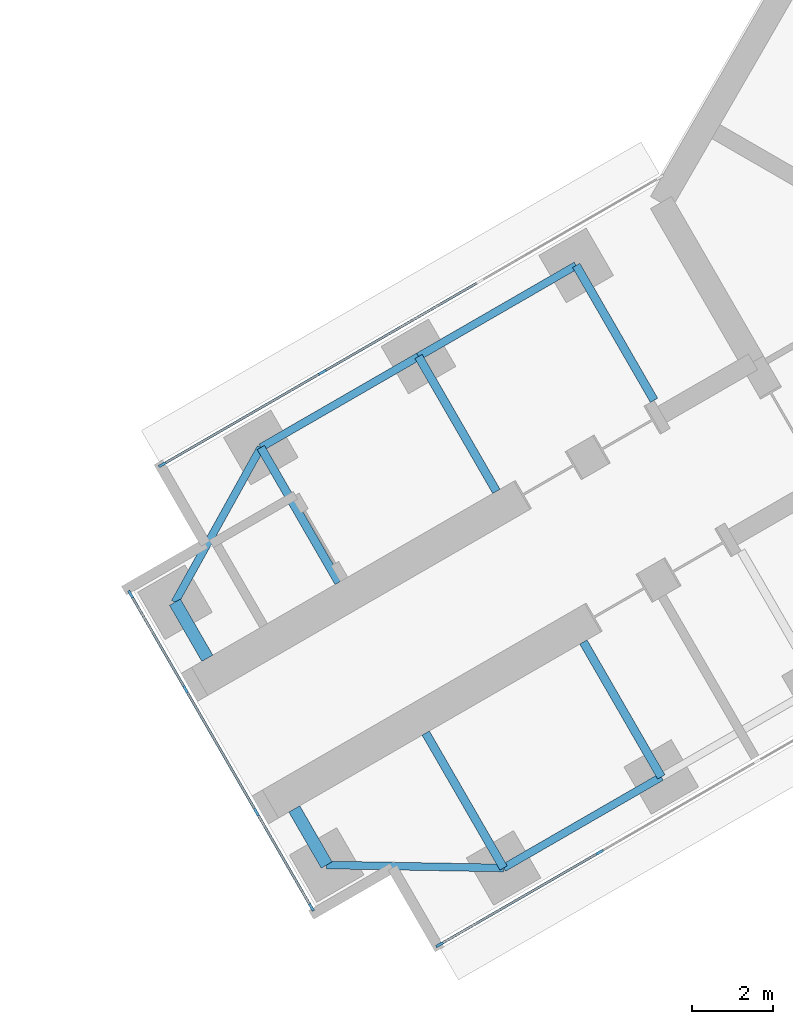
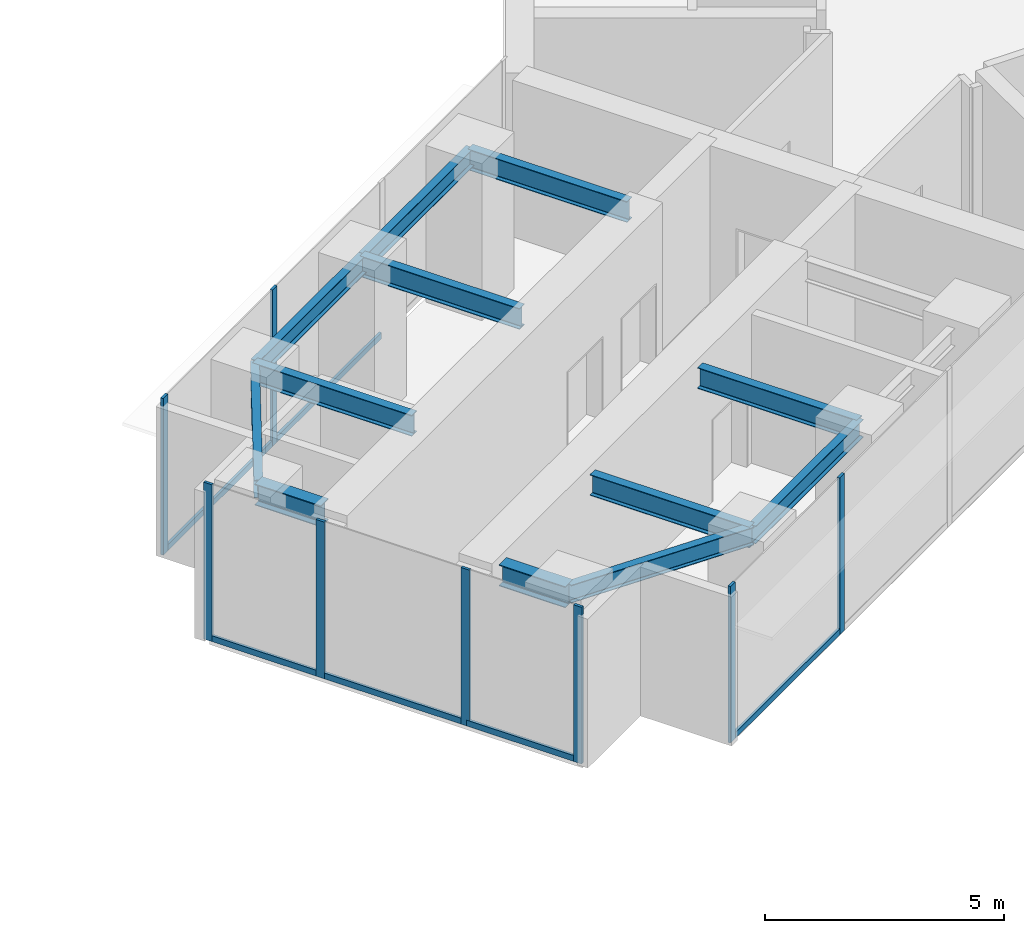
# One storey, part 3 of 21: 14 members, 12 beams, 3 elements without a shape of their own.
"""IFC4 building model written with IfcOpenShell, lengths in metres."""

from ifc_helpers import new_model, si_unit, direction, frame, origin, origin_2d, place, context, subcontext, project, spatial, rectangle, i_section, extrude, material, material_profile, profile_set, type_object, element, aggregate, save


model = new_model("IFC4")

# Units and contexts
model_context = context("Model", 3, precision=1e-05, world=origin(), true_north=direction((0.0, 1.0)))
body_context = subcontext(model_context, "Body", "Model", "MODEL_VIEW")
ifc_project = project(units=[si_unit("LENGTHUNIT", "METRE"), si_unit("AREAUNIT", "SQUARE_METRE"), si_unit("VOLUMEUNIT", "CUBIC_METRE"), si_unit("PLANEANGLEUNIT", "RADIAN"), si_unit("MASSUNIT", "GRAM", prefix="KILO")], contexts=[model_context])

# Site, building, storey
site_placement = place(None, origin())
site = spatial("IfcSite", under=ifc_project, at=site_placement, CompositionType="ELEMENT")
building_placement = place(site_placement, origin())
building = spatial("IfcBuilding", under=site, at=building_placement, Name="Upepo Twin Towers", CompositionType="ELEMENT")
storey_placement = place(building_placement, frame((0.0, 0.0, 109.5)))
storey = spatial("IfcBuildingStorey", under=building, at=storey_placement, Name="L26", CompositionType="ELEMENT", Elevation=109.5)

# Beams
ifc_material_1 = material(Name="Steel S355", Category="steel")
ifc_material_profile_1 = material_profile(ifc_material_1, i_section(OverallWidth=0.1904296875, OverallDepth=0.45703125, WebThickness=0.009033203125, FlangeThickness=0.014404296875, FilletRadius=0.01025390625, at=origin_2d()), Name="UB 457x191x74")
ifc_profile_set_1 = profile_set([ifc_material_profile_1], Name="Steel S355")
beam_type_1 = type_object("IfcBeamType", Name="Beam UB 457x191x74", PredefinedType="BEAM", material=ifc_profile_set_1)
beam_1_placement = place(storey_placement, frame((45.91162109375, -32.196044921875, 3.571533203125), z_axis=(-0.866031096941, -0.499990139034, 0.0), x_axis=(0.499990139034, -0.866031096941, 0.0)))
element("IfcBeam", 1, at=beam_1_placement, inside=storey, type_object=beam_type_1, Name="T2 edge beam BL 18.0-22.5", PredefinedType="BEAM", context=body_context, shape_type="SweptSolid", body=[
    extrude(i_section(OverallWidth=0.1904296875, OverallDepth=0.45703125, WebThickness=0.009033203125, FlangeThickness=0.014404296875, FilletRadius=0.01025390625, at=origin_2d()), origin(), (0.0, 0.0, 1.0), 4.5),
])
beam_2_placement = place(storey_placement, frame((42.014404296875, -34.446044921875, 3.571533203125), z_axis=(-0.999858804832, 0.016803880528, 0.0), x_axis=(-0.016803880528, -0.999858804832, 0.0)))
element("IfcBeam", 2, at=beam_2_placement, inside=storey, type_object=beam_type_1, Name="T2 nose edge beam BL", PredefinedType="BEAM", context=body_context, shape_type="SweptSolid", body=[
    extrude(i_section(OverallWidth=0.1904296875, OverallDepth=0.45703125, WebThickness=0.009033203125, FlangeThickness=0.014404296875, FilletRadius=0.01025390625, at=origin_2d()), origin(), (0.0, 0.0, 1.0), 4.373291015625),
])
beam_3_placement = place(storey_placement, frame((43.80859375, -19.553955078125, 3.571533203125), z_axis=(-0.866017533419, -0.500013631625, 0.0), x_axis=(0.500013631625, -0.866017533419, 0.0)))
element("IfcBeam", 3, at=beam_3_placement, inside=storey, type_object=beam_type_1, Name="T2 edge beam BR 13.5-18.0", PredefinedType="BEAM", context=body_context, shape_type="SweptSolid", body=[
    extrude(i_section(OverallWidth=0.1904296875, OverallDepth=0.45703125, WebThickness=0.009033203125, FlangeThickness=0.014404296875, FilletRadius=0.01025390625, at=origin_2d()), origin(), (0.0, 0.0, 1.0), 4.499755859375),
])
beam_4_placement = place(storey_placement, frame((39.91162109375, -21.803955078125, 3.571533203125), z_axis=(-0.866031096941, -0.499990139034, 0.0), x_axis=(0.499990139034, -0.866031096941, 0.0)))
element("IfcBeam", 4, at=beam_4_placement, inside=storey, type_object=beam_type_1, Name="T2 edge beam BR 18.0-22.5", PredefinedType="BEAM", context=body_context, shape_type="SweptSolid", body=[
    extrude(i_section(OverallWidth=0.1904296875, OverallDepth=0.45703125, WebThickness=0.009033203125, FlangeThickness=0.014404296875, FilletRadius=0.01025390625, at=origin_2d()), origin(), (0.0, 0.0, 1.0), 4.5),
])
beam_5_placement = place(storey_placement, frame((36.014404296875, -24.053955078125, 3.571533203125), z_axis=(-0.485363242752, -0.874312600038, 0.0), x_axis=(0.874312600038, -0.485363242752, 0.0)))
element("IfcBeam", 5, at=beam_5_placement, inside=storey, type_object=beam_type_1, Name="T2 nose edge beam BR", PredefinedType="BEAM", context=body_context, shape_type="SweptSolid", body=[
    extrude(i_section(OverallWidth=0.1904296875, OverallDepth=0.45703125, WebThickness=0.009033203125, FlangeThickness=0.014404296875, FilletRadius=0.01025390625, at=origin_2d()), origin(), (0.0, 0.0, 1.0), 4.373046875),
])
ifc_material_2 = material(Name="Steel S355", Category="steel")
ifc_material_profile_2 = material_profile(ifc_material_2, i_section(OverallWidth=0.209228515625, OverallDepth=0.533203125, WebThickness=0.010009765625, FlangeThickness=0.015625, FilletRadius=0.0126953125, at=origin_2d()), Name="UB 533x210x92")
ifc_profile_set_2 = profile_set([ifc_material_profile_2], Name="Steel S355")
beam_type_2 = type_object("IfcBeamType", Name="Beam UB 533x210x92", PredefinedType="BEAM", material=ifc_profile_set_2)
for number, where, z_axis, x_axis, name in (
    (6, (45.91162109375, -32.196044921875, 3.533447265625), (-0.500033517596, 0.866006051527, 0.0), (-0.866006051527, -0.500033517596, 0.0), "T2 girder BL at 18.0"),
    (7, (42.014404296875, -34.446044921875, 3.533447265625), (-0.500033517596, 0.866006051527, 0.0), (-0.866006051527, -0.500033517596, 0.0), "T2 girder BL at 22.5"),
    (8, (43.80859375, -19.553955078125, 3.533447265625), (0.500033517596, -0.866006051527, 0.0), (0.866006051527, 0.500033517596, 0.0), "T2 girder BR at 13.5"),
):
    element("IfcBeam", number, at=place(storey_placement, frame(where, z_axis=z_axis, x_axis=x_axis)), inside=storey, type_object=beam_type_2, Name=name, PredefinedType="BEAM", context=body_context, shape_type="SweptSolid", body=[
        extrude(i_section(OverallWidth=0.209228515625, OverallDepth=0.533203125, WebThickness=0.010009765625, FlangeThickness=0.015625, FilletRadius=0.0126953125, at=origin_2d()), origin(), (0.0, 0.0, 1.0), 3.849853515625),
    ])
beam_6_placement = place(storey_placement, frame((39.91162109375, -21.803955078125, 3.533447265625), z_axis=(0.499985955615, -0.866033512162, 0.0), x_axis=(0.866033512162, 0.499985955615, 0.0)))
element("IfcBeam", 9, at=beam_6_placement, inside=storey, type_object=beam_type_2, Name="T2 girder BR at 18.0", PredefinedType="BEAM", context=body_context, shape_type="SweptSolid", body=[
    extrude(i_section(OverallWidth=0.209228515625, OverallDepth=0.533203125, WebThickness=0.010009765625, FlangeThickness=0.015625, FilletRadius=0.0126953125, at=origin_2d()), origin(), (0.0, 0.0, 1.0), 3.849609375),
])
beam_7_placement = place(storey_placement, frame((36.014404296875, -24.053955078125, 3.533447265625), z_axis=(0.500033517596, -0.866006051527, 0.0), x_axis=(0.866006051527, 0.500033517596, 0.0)))
element("IfcBeam", 10, at=beam_7_placement, inside=storey, type_object=beam_type_2, Name="T2 girder BR at 22.5", PredefinedType="BEAM", context=body_context, shape_type="SweptSolid", body=[
    extrude(i_section(OverallWidth=0.209228515625, OverallDepth=0.533203125, WebThickness=0.010009765625, FlangeThickness=0.015625, FilletRadius=0.0126953125, at=origin_2d()), origin(), (0.0, 0.0, 1.0), 3.849853515625),
])
ifc_material_3 = material(Name="Steel S355", Category="steel")
ifc_material_profile_3 = material_profile(ifc_material_3, i_section(OverallWidth=0.31201171875, OverallDepth=0.54345703125, WebThickness=0.0126953125, FlangeThickness=0.020263671875, FilletRadius=0.0126953125, at=origin_2d()), Name="UB 533x312x150")
ifc_profile_set_3 = profile_set([ifc_material_profile_3], Name="Steel S355")
beam_type_3 = type_object("IfcBeamType", Name="Beam UB 533x312x150", PredefinedType="BEAM", material=ifc_profile_set_3)
for number, where, z_axis, x_axis, name in (
    (11, (37.641845703125, -34.37255859375, 3.5283203125), (-0.500061482766, 0.865989903783, 0.0), (-0.865989903783, -0.500061482766, 0.0), "T2 nose beam BL"),
    (12, (33.891845703125, -27.87744140625, 3.5283203125), (0.500061482766, -0.865989903783, 0.0), (0.865989903783, 0.500061482766, 0.0), "T2 nose beam BR"),
):
    element("IfcBeam", number, at=place(storey_placement, frame(where, z_axis=z_axis, x_axis=x_axis)), inside=storey, type_object=beam_type_3, Name=name, PredefinedType="BEAM", context=body_context, shape_type="SweptSolid", body=[
        extrude(i_section(OverallWidth=0.31201171875, OverallDepth=0.54345703125, WebThickness=0.0126953125, FlangeThickness=0.020263671875, FilletRadius=0.0126953125, at=origin_2d()), origin(), (0.0, 0.0, 1.0), 1.599853515625),
    ])

# Curtain wall, members
ifc_material_4 = material(Name="Aluminium and fritted glass", Category="aluminium")
curtain_wall_type = type_object("IfcCurtainWallType", Name="Tower curtain wall TW2, fritted glass", PredefinedType="NOTDEFINED", material=ifc_material_4)
curtain_wall_1_placement = place(storey_placement, origin())
curtain_wall_1 = element("IfcCurtainWall", 13, at=curtain_wall_1_placement, inside=storey, type_object=curtain_wall_type, Name="T2 L26 wing B flank L curtain wall", PredefinedType="NOTDEFINED")
ifc_material_5 = material(Name="Aluminium mullion", Category="aluminium")
ifc_material_profile_4 = material_profile(ifc_material_5, rectangle(XDim=0.06494140625, YDim=0.199951171875, at=origin_2d()), Name="MULLION 65x200")
ifc_profile_set_4 = profile_set([ifc_material_profile_4], Name="Aluminium mullion")
member_type_1 = type_object("IfcMemberType", Name="Mullion 65x200 TW2", PredefinedType="MULLION", material=ifc_profile_set_4)
member_1_placement = place(storey_placement, frame((44.387939453125, -34.057373046875, 0.0), z_axis=(0.0, 0.0, 1.0), x_axis=(0.500000010308, -0.866025397833, 0.0)))
member_1 = element("IfcMember", 14, at=member_1_placement, type_object=member_type_1, Name="T2 L26 wing B flank L curtain wall mullion 3", PredefinedType="MULLION", context=body_context, shape_type="SweptSolid", body=[
    extrude(rectangle(XDim=0.06494140625, YDim=0.199951171875, at=origin_2d()), origin(), (0.0, 0.0, 1.0), 4.0),
])
member_2_placement = place(storey_placement, frame((40.432373046875, -36.341064453125, 0.0), z_axis=(0.0, 0.0, 1.0), x_axis=(0.500000010308, -0.866025397833, 0.0)))
member_2 = element("IfcMember", 15, at=member_2_placement, type_object=member_type_1, Name="T2 L26 wing B flank L curtain wall mullion 4", PredefinedType="MULLION", context=body_context, shape_type="SweptSolid", body=[
    extrude(rectangle(XDim=0.06494140625, YDim=0.199951171875, at=origin_2d()), origin(), (0.0, 0.0, 1.0), 4.0),
])

curtain_wall_2_placement = place(storey_placement, origin())
curtain_wall_2 = element("IfcCurtainWall", 16, at=curtain_wall_2_placement, inside=storey, type_object=curtain_wall_type, Name="T2 L26 wing B flank R curtain wall", PredefinedType="NOTDEFINED")
member_3_placement = place(storey_placement, frame((33.58251953125, -24.4765625, 0.0), z_axis=(0.0, 0.0, 1.0), x_axis=(-0.500000010308, 0.866025397833, 0.0)))
member_3 = element("IfcMember", 17, at=member_3_placement, type_object=member_type_1, Name="T2 L26 wing B flank R curtain wall mullion 1", PredefinedType="MULLION", context=body_context, shape_type="SweptSolid", body=[
    extrude(rectangle(XDim=0.06494140625, YDim=0.199951171875, at=origin_2d()), origin(), (0.0, 0.0, 1.0), 4.0),
])
member_4_placement = place(storey_placement, frame((37.5380859375, -22.192626953125, 0.0), z_axis=(0.0, 0.0, 1.0), x_axis=(-0.500000010308, 0.866025397833, 0.0)))
member_4 = element("IfcMember", 18, at=member_4_placement, type_object=member_type_1, Name="T2 L26 wing B flank R curtain wall mullion 2", PredefinedType="MULLION", context=body_context, shape_type="SweptSolid", body=[
    extrude(rectangle(XDim=0.06494140625, YDim=0.199951171875, at=origin_2d()), origin(), (0.0, 0.0, 1.0), 4.0),
])

curtain_wall_3_placement = place(storey_placement, origin())
curtain_wall_3 = element("IfcCurtainWall", 19, at=curtain_wall_3_placement, inside=storey, type_object=curtain_wall_type, Name="T2 L26 wing B nose curtain wall", PredefinedType="NOTDEFINED")
member_5_placement = place(storey_placement, frame((32.796875, -27.68115234375, 0.0), z_axis=(0.0, 0.0, 1.0), x_axis=(0.866025386174, 0.500000030502, 0.0)))
member_5 = element("IfcMember", 20, at=member_5_placement, type_object=member_type_1, Name="T2 L26 wing B nose curtain wall mullion 1", PredefinedType="MULLION", context=body_context, shape_type="SweptSolid", body=[
    extrude(rectangle(XDim=0.06494140625, YDim=0.199951171875, at=origin_2d()), origin(), (0.0, 0.0, 1.0), 4.0),
])
member_6_placement = place(storey_placement, frame((34.15576171875, -30.034423828125, 0.0), z_axis=(0.0, 0.0, 1.0), x_axis=(0.866025386174, 0.500000030502, 0.0)))
member_6 = element("IfcMember", 21, at=member_6_placement, type_object=member_type_1, Name="T2 L26 wing B nose curtain wall mullion 2", PredefinedType="MULLION", context=body_context, shape_type="SweptSolid", body=[
    extrude(rectangle(XDim=0.06494140625, YDim=0.199951171875, at=origin_2d()), origin(), (0.0, 0.0, 1.0), 4.0),
])
member_7_placement = place(storey_placement, frame((35.90576171875, -33.0654296875, 0.0), z_axis=(0.0, 0.0, 1.0), x_axis=(0.866025386174, 0.500000030502, 0.0)))
member_7 = element("IfcMember", 22, at=member_7_placement, type_object=member_type_1, Name="T2 L26 wing B nose curtain wall mullion 3", PredefinedType="MULLION", context=body_context, shape_type="SweptSolid", body=[
    extrude(rectangle(XDim=0.06494140625, YDim=0.199951171875, at=origin_2d()), origin(), (0.0, 0.0, 1.0), 4.0),
])
member_8_placement = place(storey_placement, frame((37.264404296875, -35.4189453125, 0.0), z_axis=(0.0, 0.0, 1.0), x_axis=(0.866025386174, 0.500000030502, 0.0)))
member_8 = element("IfcMember", 23, at=member_8_placement, type_object=member_type_1, Name="T2 L26 wing B nose curtain wall mullion 4", PredefinedType="MULLION", context=body_context, shape_type="SweptSolid", body=[
    extrude(rectangle(XDim=0.06494140625, YDim=0.199951171875, at=origin_2d()), origin(), (0.0, 0.0, 1.0), 4.0),
])

# Member
ifc_material_6 = material(Name="Aluminium transom", Category="aluminium")
ifc_material_profile_5 = material_profile(ifc_material_6, rectangle(XDim=0.06494140625, YDim=0.14990234375, at=origin_2d()), Name="TRANSOM 65x150")
ifc_profile_set_5 = profile_set([ifc_material_profile_5], Name="Aluminium transom")
member_type_2 = type_object("IfcMemberType", Name="Transom 65x150 TW2", PredefinedType="USERDEFINED", material=ifc_profile_set_5)
member_9_placement = place(storey_placement, frame((44.35986328125, -34.073486328125, 0.074951171875), z_axis=(-0.866035699072, -0.499982167615, 0.0), x_axis=(0.499982167615, -0.866035699072, 0.0)))
member_9 = element("IfcMember", 24, at=member_9_placement, type_object=member_type_2, Name="T2 L26 wing B flank L curtain wall transom 3", ObjectType="TRANSOM", PredefinedType="USERDEFINED", context=body_context, shape_type="SweptSolid", body=[
    extrude(rectangle(XDim=0.06494140625, YDim=0.14990234375, at=origin_2d()), origin(), (0.0, 0.0, 1.0), 4.502685546875),
])

aggregate(curtain_wall_1, [member_1, member_2, member_9])

member_10_placement = place(storey_placement, frame((33.610595703125, -24.460205078125, 0.074951171875), z_axis=(0.866022143554, 0.500005646842, 0.0), x_axis=(-0.500005646842, 0.866022143554, 0.0)))
member_10 = element("IfcMember", 25, at=member_10_placement, type_object=member_type_2, Name="T2 L26 wing B flank R curtain wall transom 1", ObjectType="TRANSOM", PredefinedType="USERDEFINED", context=body_context, shape_type="SweptSolid", body=[
    extrude(rectangle(XDim=0.06494140625, YDim=0.14990234375, at=origin_2d()), origin(), (0.0, 0.0, 1.0), 4.50244140625),
])

member_11_placement = place(storey_placement, frame((37.566162109375, -22.176513671875, 0.074951171875), z_axis=(0.866022410713, 0.500005184116, 0.0), x_axis=(-0.500005184116, 0.866022410713, 0.0)))
member_11 = element("IfcMember", 26, at=member_11_placement, type_object=member_type_2, Name="T2 L26 wing B flank R curtain wall transom 2", ObjectType="TRANSOM", PredefinedType="USERDEFINED", context=body_context, shape_type="SweptSolid", body=[
    extrude(rectangle(XDim=0.06494140625, YDim=0.14990234375, at=origin_2d()), origin(), (0.0, 0.0, 1.0), 4.43505859375),
])

aggregate(curtain_wall_2, [member_3, member_4, member_10, member_11])

member_12_placement = place(storey_placement, frame((32.813232421875, -27.709228515625, 0.074951171875), z_axis=(0.499980071345, -0.866036909293, 0.0), x_axis=(0.866036909293, 0.499980071345, 0.0)))
member_12 = element("IfcMember", 27, at=member_12_placement, type_object=member_type_2, Name="T2 L26 wing B nose curtain wall transom 1", ObjectType="TRANSOM", PredefinedType="USERDEFINED", context=body_context, shape_type="SweptSolid", body=[
    extrude(rectangle(XDim=0.06494140625, YDim=0.14990234375, at=origin_2d()), origin(), (0.0, 0.0, 1.0), 2.65234375),
])

member_13_placement = place(storey_placement, frame((34.171875, -30.0625, 0.074951171875), z_axis=(0.499999305434, -0.866025804792, 0.0), x_axis=(0.866025804792, 0.499999305434, 0.0)))
member_13 = element("IfcMember", 28, at=member_13_placement, type_object=member_type_2, Name="T2 L26 wing B nose curtain wall transom 2", ObjectType="TRANSOM", PredefinedType="USERDEFINED", context=body_context, shape_type="SweptSolid", body=[
    extrude(rectangle(XDim=0.06494140625, YDim=0.14990234375, at=origin_2d()), origin(), (0.0, 0.0, 1.0), 3.43505859375),
])

member_14_placement = place(storey_placement, frame((35.921875, -33.09375, 0.074951171875), z_axis=(0.500049101008, -0.865997053448, 0.0), x_axis=(0.865997053448, 0.500049101008, 0.0)))
member_14 = element("IfcMember", 29, at=member_14_placement, type_object=member_type_2, Name="T2 L26 wing B nose curtain wall transom 3", ObjectType="TRANSOM", PredefinedType="USERDEFINED", context=body_context, shape_type="SweptSolid", body=[
    extrude(rectangle(XDim=0.06494140625, YDim=0.14990234375, at=origin_2d()), origin(), (0.0, 0.0, 1.0), 2.652587890625),
])

aggregate(curtain_wall_3, [member_5, member_6, member_7, member_8, member_12, member_13, member_14])

save(model, "model.ifc")
